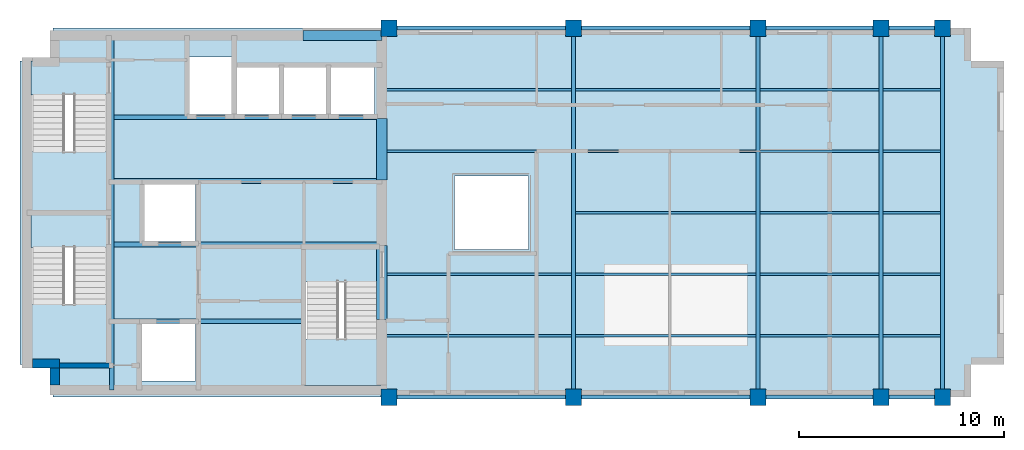
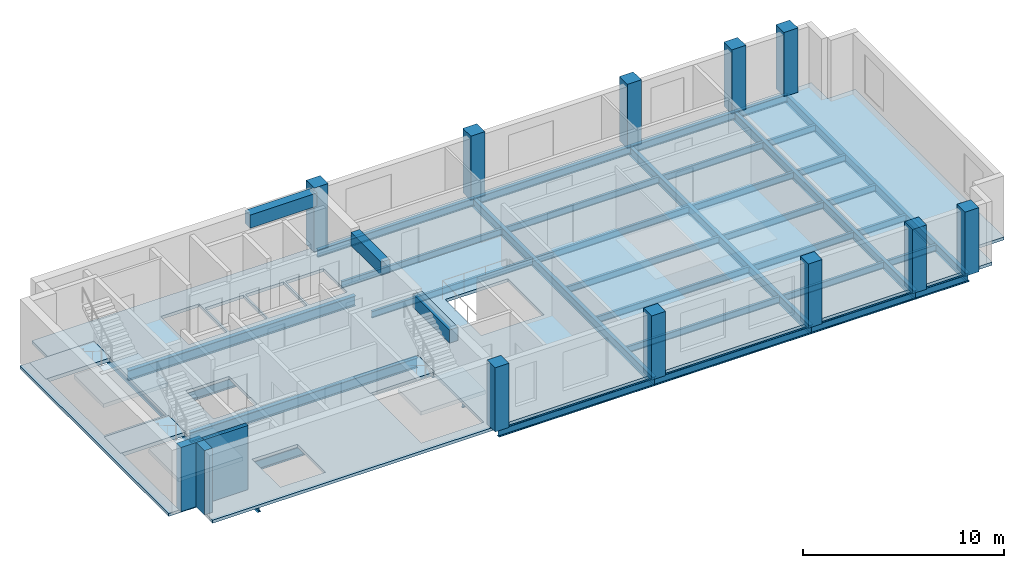
# One storey, part 1 of 5: 39 beams, 10 columns, 7 slabs, 3 walls, 3 elements without a shape of their own.
"""IFC4 building model written with IfcOpenShell, lengths in metres."""

from ifc_helpers import new_model, si_unit, direction, frame, frame_2d, origin, origin_2d, place, context, subcontext, project, spatial, polyline, rectangle, i_section, outline, extrude, material, layer, layer_set, material_profile, profile_set, type_object, element, aggregate, save


model = new_model("IFC4")

# Units and contexts
model_context = context("Model", 3, precision=1e-05, world=origin(), true_north=direction((0.0, 1.0)))
body_context = subcontext(model_context, "Body", "Model", "MODEL_VIEW")
ifc_project = project(units=[si_unit("LENGTHUNIT", "METRE"), si_unit("AREAUNIT", "SQUARE_METRE"), si_unit("VOLUMEUNIT", "CUBIC_METRE"), si_unit("PLANEANGLEUNIT", "RADIAN"), si_unit("MASSUNIT", "GRAM", prefix="KILO")], contexts=[model_context])

# Site, building, storey
site_placement = place(None, origin())
site = spatial("IfcSite", under=ifc_project, at=site_placement, CompositionType="ELEMENT")
building_placement = place(site_placement, origin())
building = spatial("IfcBuilding", under=site, at=building_placement, Name="Mawjdan Bourse Tower", CompositionType="ELEMENT")
storey_placement = place(building_placement, frame((0.0, 0.0, 274.199951171875)))
storey = spatial("IfcBuildingStorey", under=building, at=storey_placement, Name="L67", CompositionType="ELEMENT", Elevation=274.199951171875)

# Columns
ifc_material_1 = material(Name="Concrete C60/75", Category="concrete")
ifc_material_profile_1 = material_profile(ifc_material_1, rectangle(XDim=0.800048828125, YDim=0.800048828125, at=origin_2d()), Name="RC800X800")
ifc_profile_set_1 = profile_set([ifc_material_profile_1], Name="Concrete C60/75")
column_type = type_object("IfcColumnType", Name="COL-RC800X800", PredefinedType="COLUMN", material=ifc_profile_set_1)
for number, where, z_axis, x_axis, name in (
    (1, (24.0, 3.0, 0.0), (0.0, 0.0, 1.0), (1.0, 0.0, 0.0), "L67 Structural Column C-X240-Y30"),
    (2, (24.0, 21.0, 0.0), (0.0, 0.0, 1.0), (1.0, 0.0, 0.0), "L67 Structural Column C-X240-Y210"),
    (3, (33.0, 3.0, 0.0), (0.0, 0.0, 1.0), (1.0, 0.0, 0.0), "L67 Structural Column C-X330-Y30"),
    (4, (33.0, 21.0, 0.0), (0.0, 0.0, 1.0), (1.0, 0.0, 0.0), "L67 Structural Column C-X330-Y210"),
    (5, (42.0, 3.0, 0.0), (0.0, 0.0, 1.0), (1.0, 0.0, 0.0), "L67 Structural Column C-X420-Y30"),
    (6, (42.0, 21.0, 0.0), (0.0, 0.0, 1.0), (1.0, 0.0, 0.0), "L67 Structural Column C-X420-Y210"),
    (7, (48.0, 3.0, 0.0), (0.0, 0.0, 1.0), (1.0, 0.0, 0.0), "L67 Structural Column C-X480-Y30"),
    (8, (48.0, 21.0, 0.0), (0.0, 0.0, 1.0), (1.0, 0.0, 0.0), "L67 Structural Column C-X480-Y210"),
    (9, (51.0, 3.0, 0.0), (0.0, 0.0, 1.0), (1.0, 0.0, 0.0), "L67 Structural Column C-X510-Y30"),
    (10, (51.0, 21.0, 0.0), (0.0, 0.0, 1.0), (1.0, 0.0, 0.0), "L67 Structural Column C-X510-Y210"),
):
    element("IfcColumn", number, at=place(storey_placement, frame(where, z_axis=z_axis, x_axis=x_axis)), inside=storey, type_object=column_type, Name=name, PredefinedType="COLUMN", context=body_context, shape_type="SweptSolid", body=[
        extrude(rectangle(XDim=0.800048828125, YDim=0.800048828125, at=origin_2d()), origin(), (0.0, 0.0, 1.0), 3.900146484375),
    ])

# Beams
ifc_material_2 = material(Name="Structural Steel S355", Category="steel")
ifc_material_profile_2 = material_profile(ifc_material_2, i_section(OverallWidth=0.2119140625, OverallDepth=0.5439453125, WebThickness=0.01318359375, FlangeThickness=0.021240234375, FilletRadius=0.01708984375, at=origin_2d()), Name="W21X83")
ifc_profile_set_2 = profile_set([ifc_material_profile_2], Name="Structural Steel S355")
beam_type_1 = type_object("IfcBeamType", Name="GRD-W21X83", PredefinedType="BEAM", material=ifc_profile_set_2)
beam_1_placement = place(storey_placement, frame((10.47998046875, 3.35009765625, -0.45703125), z_axis=(0.0, 1.0, 0.0), x_axis=(-1.0, 0.0, 0.0)))
element("IfcBeam", 11, at=beam_1_placement, inside=storey, type_object=beam_type_1, Name="L67 Core Stair Trimmer Girder 001", PredefinedType="BEAM", context=body_context, shape_type="SweptSolid", body=[
    extrude(i_section(OverallWidth=0.2119140625, OverallDepth=0.5439453125, WebThickness=0.01318359375, FlangeThickness=0.021240234375, FilletRadius=0.01708984375, at=origin_2d()), origin(), (0.0, 0.0, 1.0), 17.2998046875),
])
for number, where, z_axis, x_axis, name in (
    (12, (33.0, 3.0, -0.45703125), (0.0, 1.0, 0.0), (-1.0, 0.0, 0.0), "L67 East Wing Clear-Span Girder 002"),
    (13, (42.0, 3.0, -0.45703125), (0.0, 1.0, 0.0), (-1.0, 0.0, 0.0), "L67 East Wing Clear-Span Girder 003"),
    (14, (48.0, 3.0, -0.45703125), (0.0, 1.0, 0.0), (-1.0, 0.0, 0.0), "L67 East Wing Clear-Span Girder 004"),
    (15, (51.0, 3.0, -0.45703125), (0.0, 1.0, 0.0), (-1.0, 0.0, 0.0), "L67 East Wing Clear-Span Girder 005"),
):
    element("IfcBeam", number, at=place(storey_placement, frame(where, z_axis=z_axis, x_axis=x_axis)), inside=storey, type_object=beam_type_1, Name=name, PredefinedType="BEAM", context=body_context, shape_type="SweptSolid", body=[
        extrude(i_section(OverallWidth=0.2119140625, OverallDepth=0.5439453125, WebThickness=0.01318359375, FlangeThickness=0.021240234375, FilletRadius=0.01708984375, at=origin_2d()), origin(), (0.0, 0.0, 1.0), 18.0),
    ])
ifc_material_profile_3 = material_profile(ifc_material_2, i_section(OverallWidth=0.139892578125, OverallDepth=0.404052734375, WebThickness=0.007080078125, FlangeThickness=0.01123046875, FilletRadius=0.009033203125, at=origin_2d()), Name="W16X31")
ifc_profile_set_3 = profile_set([ifc_material_profile_3], Name="Structural Steel S355")
beam_type_2 = type_object("IfcBeamType", Name="JST-W16X31", PredefinedType="JOIST", material=ifc_profile_set_3)
beam_2_placement = place(storey_placement, frame((23.64990234375, 6.0, -0.386962890625), z_axis=(1.0, 0.0, 0.0), x_axis=(0.0, 1.0, 0.0)))
element("IfcBeam", 16, at=beam_2_placement, inside=storey, type_object=beam_type_2, Name="L67 East Wing Composite Joist 014", PredefinedType="JOIST", context=body_context, shape_type="SweptSolid", body=[
    extrude(i_section(OverallWidth=0.139892578125, OverallDepth=0.404052734375, WebThickness=0.007080078125, FlangeThickness=0.01123046875, FilletRadius=0.009033203125, at=origin_2d()), origin(), (0.0, 0.0, 1.0), 9.24609375),
])
beam_3_placement = place(storey_placement, frame((33.10400390625, 6.0, -0.386962890625), z_axis=(1.0, 0.0, 0.0), x_axis=(0.0, 1.0, 0.0)))
element("IfcBeam", 17, at=beam_3_placement, inside=storey, type_object=beam_type_2, Name="L67 East Wing Composite Joist 015", PredefinedType="JOIST", context=body_context, shape_type="SweptSolid", body=[
    extrude(i_section(OverallWidth=0.139892578125, OverallDepth=0.404052734375, WebThickness=0.007080078125, FlangeThickness=0.01123046875, FilletRadius=0.009033203125, at=origin_2d()), origin(), (0.0, 0.0, 1.0), 8.7919921875),
])
beam_4_placement = place(storey_placement, frame((42.10400390625, 6.0, -0.386962890625), z_axis=(1.0, 0.0, 0.0), x_axis=(0.0, 1.0, 0.0)))
element("IfcBeam", 18, at=beam_4_placement, inside=storey, type_object=beam_type_2, Name="L67 East Wing Composite Joist 016", PredefinedType="JOIST", context=body_context, shape_type="SweptSolid", body=[
    extrude(i_section(OverallWidth=0.139892578125, OverallDepth=0.404052734375, WebThickness=0.007080078125, FlangeThickness=0.01123046875, FilletRadius=0.009033203125, at=origin_2d()), origin(), (0.0, 0.0, 1.0), 5.7919921875),
])
beam_5_placement = place(storey_placement, frame((48.10400390625, 6.0, -0.386962890625), z_axis=(1.0, 0.0, 0.0), x_axis=(0.0, 1.0, 0.0)))
element("IfcBeam", 19, at=beam_5_placement, inside=storey, type_object=beam_type_2, Name="L67 East Wing Composite Joist 017", PredefinedType="JOIST", context=body_context, shape_type="SweptSolid", body=[
    extrude(i_section(OverallWidth=0.139892578125, OverallDepth=0.404052734375, WebThickness=0.007080078125, FlangeThickness=0.01123046875, FilletRadius=0.009033203125, at=origin_2d()), origin(), (0.0, 0.0, 1.0), 2.7919921875),
])
beam_6_placement = place(storey_placement, frame((23.64990234375, 9.0, -0.386962890625), z_axis=(1.0, 0.0, 0.0), x_axis=(0.0, 1.0, 0.0)))
element("IfcBeam", 20, at=beam_6_placement, inside=storey, type_object=beam_type_2, Name="L67 East Wing Composite Joist 018", PredefinedType="JOIST", context=body_context, shape_type="SweptSolid", body=[
    extrude(i_section(OverallWidth=0.139892578125, OverallDepth=0.404052734375, WebThickness=0.007080078125, FlangeThickness=0.01123046875, FilletRadius=0.009033203125, at=origin_2d()), origin(), (0.0, 0.0, 1.0), 9.24609375),
])
beam_7_placement = place(storey_placement, frame((33.10400390625, 9.0, -0.386962890625), z_axis=(1.0, 0.0, 0.0), x_axis=(0.0, 1.0, 0.0)))
element("IfcBeam", 21, at=beam_7_placement, inside=storey, type_object=beam_type_2, Name="L67 East Wing Composite Joist 019", PredefinedType="JOIST", context=body_context, shape_type="SweptSolid", body=[
    extrude(i_section(OverallWidth=0.139892578125, OverallDepth=0.404052734375, WebThickness=0.007080078125, FlangeThickness=0.01123046875, FilletRadius=0.009033203125, at=origin_2d()), origin(), (0.0, 0.0, 1.0), 8.7919921875),
])
beam_8_placement = place(storey_placement, frame((42.10400390625, 9.0, -0.386962890625), z_axis=(1.0, 0.0, 0.0), x_axis=(0.0, 1.0, 0.0)))
element("IfcBeam", 22, at=beam_8_placement, inside=storey, type_object=beam_type_2, Name="L67 East Wing Composite Joist 020", PredefinedType="JOIST", context=body_context, shape_type="SweptSolid", body=[
    extrude(i_section(OverallWidth=0.139892578125, OverallDepth=0.404052734375, WebThickness=0.007080078125, FlangeThickness=0.01123046875, FilletRadius=0.009033203125, at=origin_2d()), origin(), (0.0, 0.0, 1.0), 5.7919921875),
])
beam_9_placement = place(storey_placement, frame((48.10400390625, 9.0, -0.386962890625), z_axis=(1.0, 0.0, 0.0), x_axis=(0.0, 1.0, 0.0)))
element("IfcBeam", 23, at=beam_9_placement, inside=storey, type_object=beam_type_2, Name="L67 East Wing Composite Joist 021", PredefinedType="JOIST", context=body_context, shape_type="SweptSolid", body=[
    extrude(i_section(OverallWidth=0.139892578125, OverallDepth=0.404052734375, WebThickness=0.007080078125, FlangeThickness=0.01123046875, FilletRadius=0.009033203125, at=origin_2d()), origin(), (0.0, 0.0, 1.0), 2.7919921875),
])
beam_10_placement = place(storey_placement, frame((33.10400390625, 12.0, -0.386962890625), z_axis=(1.0, 0.0, 0.0), x_axis=(0.0, 1.0, 0.0)))
element("IfcBeam", 24, at=beam_10_placement, inside=storey, type_object=beam_type_2, Name="L67 East Wing Composite Joist 022", PredefinedType="JOIST", context=body_context, shape_type="SweptSolid", body=[
    extrude(i_section(OverallWidth=0.139892578125, OverallDepth=0.404052734375, WebThickness=0.007080078125, FlangeThickness=0.01123046875, FilletRadius=0.009033203125, at=origin_2d()), origin(), (0.0, 0.0, 1.0), 8.7919921875),
])
beam_11_placement = place(storey_placement, frame((42.10400390625, 12.0, -0.386962890625), z_axis=(1.0, 0.0, 0.0), x_axis=(0.0, 1.0, 0.0)))
element("IfcBeam", 25, at=beam_11_placement, inside=storey, type_object=beam_type_2, Name="L67 East Wing Composite Joist 023", PredefinedType="JOIST", context=body_context, shape_type="SweptSolid", body=[
    extrude(i_section(OverallWidth=0.139892578125, OverallDepth=0.404052734375, WebThickness=0.007080078125, FlangeThickness=0.01123046875, FilletRadius=0.009033203125, at=origin_2d()), origin(), (0.0, 0.0, 1.0), 5.7919921875),
])
beam_12_placement = place(storey_placement, frame((48.10400390625, 12.0, -0.386962890625), z_axis=(1.0, 0.0, 0.0), x_axis=(0.0, 1.0, 0.0)))
element("IfcBeam", 26, at=beam_12_placement, inside=storey, type_object=beam_type_2, Name="L67 East Wing Composite Joist 024", PredefinedType="JOIST", context=body_context, shape_type="SweptSolid", body=[
    extrude(i_section(OverallWidth=0.139892578125, OverallDepth=0.404052734375, WebThickness=0.007080078125, FlangeThickness=0.01123046875, FilletRadius=0.009033203125, at=origin_2d()), origin(), (0.0, 0.0, 1.0), 2.7919921875),
])
beam_13_placement = place(storey_placement, frame((23.64990234375, 15.0, -0.386962890625), z_axis=(1.0, 0.0, 0.0), x_axis=(0.0, 1.0, 0.0)))
element("IfcBeam", 27, at=beam_13_placement, inside=storey, type_object=beam_type_2, Name="L67 East Wing Composite Joist 025", PredefinedType="JOIST", context=body_context, shape_type="SweptSolid", body=[
    extrude(i_section(OverallWidth=0.139892578125, OverallDepth=0.404052734375, WebThickness=0.007080078125, FlangeThickness=0.01123046875, FilletRadius=0.009033203125, at=origin_2d()), origin(), (0.0, 0.0, 1.0), 9.24609375),
])
beam_14_placement = place(storey_placement, frame((33.10400390625, 15.0, -0.386962890625), z_axis=(1.0, 0.0, 0.0), x_axis=(0.0, 1.0, 0.0)))
element("IfcBeam", 28, at=beam_14_placement, inside=storey, type_object=beam_type_2, Name="L67 East Wing Composite Joist 026", PredefinedType="JOIST", context=body_context, shape_type="SweptSolid", body=[
    extrude(i_section(OverallWidth=0.139892578125, OverallDepth=0.404052734375, WebThickness=0.007080078125, FlangeThickness=0.01123046875, FilletRadius=0.009033203125, at=origin_2d()), origin(), (0.0, 0.0, 1.0), 8.7919921875),
])
beam_15_placement = place(storey_placement, frame((42.10400390625, 15.0, -0.386962890625), z_axis=(1.0, 0.0, 0.0), x_axis=(0.0, 1.0, 0.0)))
element("IfcBeam", 29, at=beam_15_placement, inside=storey, type_object=beam_type_2, Name="L67 East Wing Composite Joist 027", PredefinedType="JOIST", context=body_context, shape_type="SweptSolid", body=[
    extrude(i_section(OverallWidth=0.139892578125, OverallDepth=0.404052734375, WebThickness=0.007080078125, FlangeThickness=0.01123046875, FilletRadius=0.009033203125, at=origin_2d()), origin(), (0.0, 0.0, 1.0), 5.7919921875),
])
beam_16_placement = place(storey_placement, frame((48.10400390625, 15.0, -0.386962890625), z_axis=(1.0, 0.0, 0.0), x_axis=(0.0, 1.0, 0.0)))
element("IfcBeam", 30, at=beam_16_placement, inside=storey, type_object=beam_type_2, Name="L67 East Wing Composite Joist 028", PredefinedType="JOIST", context=body_context, shape_type="SweptSolid", body=[
    extrude(i_section(OverallWidth=0.139892578125, OverallDepth=0.404052734375, WebThickness=0.007080078125, FlangeThickness=0.01123046875, FilletRadius=0.009033203125, at=origin_2d()), origin(), (0.0, 0.0, 1.0), 2.7919921875),
])
beam_17_placement = place(storey_placement, frame((23.64990234375, 18.0, -0.386962890625), z_axis=(1.0, 0.0, 0.0), x_axis=(0.0, 1.0, 0.0)))
element("IfcBeam", 31, at=beam_17_placement, inside=storey, type_object=beam_type_2, Name="L67 East Wing Composite Joist 029", PredefinedType="JOIST", context=body_context, shape_type="SweptSolid", body=[
    extrude(i_section(OverallWidth=0.139892578125, OverallDepth=0.404052734375, WebThickness=0.007080078125, FlangeThickness=0.01123046875, FilletRadius=0.009033203125, at=origin_2d()), origin(), (0.0, 0.0, 1.0), 9.24609375),
])
beam_18_placement = place(storey_placement, frame((33.10400390625, 18.0, -0.386962890625), z_axis=(1.0, 0.0, 0.0), x_axis=(0.0, 1.0, 0.0)))
element("IfcBeam", 32, at=beam_18_placement, inside=storey, type_object=beam_type_2, Name="L67 East Wing Composite Joist 030", PredefinedType="JOIST", context=body_context, shape_type="SweptSolid", body=[
    extrude(i_section(OverallWidth=0.139892578125, OverallDepth=0.404052734375, WebThickness=0.007080078125, FlangeThickness=0.01123046875, FilletRadius=0.009033203125, at=origin_2d()), origin(), (0.0, 0.0, 1.0), 8.7919921875),
])
beam_19_placement = place(storey_placement, frame((42.10400390625, 18.0, -0.386962890625), z_axis=(1.0, 0.0, 0.0), x_axis=(0.0, 1.0, 0.0)))
element("IfcBeam", 33, at=beam_19_placement, inside=storey, type_object=beam_type_2, Name="L67 East Wing Composite Joist 031", PredefinedType="JOIST", context=body_context, shape_type="SweptSolid", body=[
    extrude(i_section(OverallWidth=0.139892578125, OverallDepth=0.404052734375, WebThickness=0.007080078125, FlangeThickness=0.01123046875, FilletRadius=0.009033203125, at=origin_2d()), origin(), (0.0, 0.0, 1.0), 5.7919921875),
])
beam_20_placement = place(storey_placement, frame((48.10400390625, 18.0, -0.386962890625), z_axis=(1.0, 0.0, 0.0), x_axis=(0.0, 1.0, 0.0)))
element("IfcBeam", 34, at=beam_20_placement, inside=storey, type_object=beam_type_2, Name="L67 East Wing Composite Joist 032", PredefinedType="JOIST", context=body_context, shape_type="SweptSolid", body=[
    extrude(i_section(OverallWidth=0.139892578125, OverallDepth=0.404052734375, WebThickness=0.007080078125, FlangeThickness=0.01123046875, FilletRadius=0.009033203125, at=origin_2d()), origin(), (0.0, 0.0, 1.0), 2.7919921875),
])
ifc_material_profile_4 = material_profile(ifc_material_2, i_section(OverallWidth=0.22998046875, OverallDepth=0.616943359375, WebThickness=0.01318359375, FlangeThickness=0.022216796875, FilletRadius=0.017822265625, at=origin_2d()), Name="W24X94")
ifc_profile_set_4 = profile_set([ifc_material_profile_4], Name="Structural Steel S355")
beam_type_3 = type_object("IfcBeamType", Name="JST-W24X94", PredefinedType="JOIST", material=ifc_profile_set_4)
beam_21_placement = place(storey_placement, frame((10.583984375, 6.699951171875, -0.493408203125), z_axis=(1.0, 0.0, 0.0), x_axis=(0.0, 1.0, 0.0)))
element("IfcBeam", 35, at=beam_21_placement, inside=storey, type_object=beam_type_3, Name="L67 Core Floor Joist 033", PredefinedType="JOIST", context=body_context, shape_type="SweptSolid", body=[
    extrude(i_section(OverallWidth=0.22998046875, OverallDepth=0.616943359375, WebThickness=0.01318359375, FlangeThickness=0.022216796875, FilletRadius=0.017822265625, at=origin_2d()), origin(), (0.0, 0.0, 1.0), 9.24609375),
])
for number, where, z_axis, x_axis, name in (
    (36, (10.583984375, 10.449951171875, -0.493408203125), (1.0, 0.0, 0.0), (0.0, 1.0, 0.0), "L67 Core Floor Joist 034"),
    (37, (10.583984375, 13.550048828125, -0.493408203125), (1.0, 0.0, 0.0), (0.0, 1.0, 0.0), "L67 Core Floor Joist 035"),
    (38, (10.583984375, 16.64990234375, -0.493408203125), (1.0, 0.0, 0.0), (0.0, 1.0, 0.0), "L67 Core Floor Joist 036"),
):
    element("IfcBeam", number, at=place(storey_placement, frame(where, z_axis=z_axis, x_axis=x_axis)), inside=storey, type_object=beam_type_3, Name=name, PredefinedType="JOIST", context=body_context, shape_type="SweptSolid", body=[
        extrude(i_section(OverallWidth=0.22998046875, OverallDepth=0.616943359375, WebThickness=0.01318359375, FlangeThickness=0.022216796875, FilletRadius=0.017822265625, at=origin_2d()), origin(), (0.0, 0.0, 1.0), 13.06591796875),
    ])
ifc_material_3 = material(Name="Concrete C70/85", Category="concrete")
ifc_material_profile_5 = material_profile(ifc_material_3, rectangle(XDim=0.5, YDim=0.800048828125, at=origin_2d()), Name="RCB500X800")
ifc_profile_set_5 = profile_set([ifc_material_profile_5], Name="Concrete C70/85")
beam_type_4 = type_object("IfcBeamType", Name="LNT-RCB500X800", PredefinedType="LINTEL", material=ifc_profile_set_5)
beam_22_placement = place(storey_placement, frame((23.64990234375, 6.800048828125, 3.31494140625), z_axis=(0.0, 1.0, 0.0), x_axis=(-1.0, 0.0, 0.0)))
element("IfcBeam", 39, at=beam_22_placement, inside=storey, type_object=beam_type_4, Name="L67 Coupled Core Lintel CB-E1", PredefinedType="LINTEL", context=body_context, shape_type="SweptSolid", body=[
    extrude(rectangle(XDim=0.5, YDim=0.800048828125, at=origin_2d()), origin(), (0.0, 0.0, 1.0), 3.599853515625),
])
beam_23_placement = place(storey_placement, frame((23.64990234375, 13.60009765625, 3.31494140625), z_axis=(0.0, 1.0, 0.0), x_axis=(-1.0, 0.0, 0.0)))
element("IfcBeam", 40, at=beam_23_placement, inside=storey, type_object=beam_type_4, Name="L67 Coupled Core Lintel CB-E2", PredefinedType="LINTEL", context=body_context, shape_type="SweptSolid", body=[
    extrude(rectangle(XDim=0.5, YDim=0.800048828125, at=origin_2d()), origin(), (0.0, 0.0, 1.0), 3.0),
])
beam_24_placement = place(storey_placement, frame((19.800048828125, 20.64990234375, 3.31494140625), z_axis=(1.0, 0.0, 0.0), x_axis=(0.0, 1.0, 0.0)))
element("IfcBeam", 41, at=beam_24_placement, inside=storey, type_object=beam_type_4, Name="L67 Coupled Core Lintel CB-N1", PredefinedType="LINTEL", context=body_context, shape_type="SweptSolid", body=[
    extrude(rectangle(XDim=0.5, YDim=0.800048828125, at=origin_2d()), origin(), (0.0, 0.0, 1.0), 3.849853515625),
])
ifc_material_profile_6 = material_profile(ifc_material_2, i_section(OverallWidth=0.19189453125, OverallDepth=0.462890625, WebThickness=0.010498046875, FlangeThickness=0.017578125, FilletRadius=0.01416015625, at=origin_2d()), Name="W18X60")
ifc_profile_set_6 = profile_set([ifc_material_profile_6], Name="Structural Steel S355")
beam_type_5 = type_object("IfcBeamType", Name="SPN-W18X60", PredefinedType="SPANDREL", material=ifc_profile_set_6)
for number, where, z_axis, x_axis, name in (
    (42, (24.0, 3.0, -0.41650390625), (1.0, 0.0, 0.0), (0.0, 1.0, 0.0), "L67 Perimeter Masonry-Shelf Spandrel 006"),
    (43, (33.0, 3.0, -0.41650390625), (1.0, 0.0, 0.0), (0.0, 1.0, 0.0), "L67 Perimeter Masonry-Shelf Spandrel 007"),
):
    element("IfcBeam", number, at=place(storey_placement, frame(where, z_axis=z_axis, x_axis=x_axis)), inside=storey, type_object=beam_type_5, Name=name, PredefinedType="SPANDREL", context=body_context, shape_type="SweptSolid", body=[
        extrude(i_section(OverallWidth=0.19189453125, OverallDepth=0.462890625, WebThickness=0.010498046875, FlangeThickness=0.017578125, FilletRadius=0.01416015625, at=origin_2d()), origin(), (0.0, 0.0, 1.0), 9.0),
    ])
beam_25_placement = place(storey_placement, frame((42.0, 3.0, -0.41650390625), z_axis=(1.0, 0.0, 0.0), x_axis=(0.0, 1.0, 0.0)))
element("IfcBeam", 44, at=beam_25_placement, inside=storey, type_object=beam_type_5, Name="L67 Perimeter Masonry-Shelf Spandrel 008", PredefinedType="SPANDREL", context=body_context, shape_type="SweptSolid", body=[
    extrude(i_section(OverallWidth=0.19189453125, OverallDepth=0.462890625, WebThickness=0.010498046875, FlangeThickness=0.017578125, FilletRadius=0.01416015625, at=origin_2d()), origin(), (0.0, 0.0, 1.0), 6.0),
])
beam_26_placement = place(storey_placement, frame((48.0, 3.0, -0.41650390625), z_axis=(1.0, 0.0, 0.0), x_axis=(0.0, 1.0, 0.0)))
element("IfcBeam", 45, at=beam_26_placement, inside=storey, type_object=beam_type_5, Name="L67 Perimeter Masonry-Shelf Spandrel 009", PredefinedType="SPANDREL", context=body_context, shape_type="SweptSolid", body=[
    extrude(i_section(OverallWidth=0.19189453125, OverallDepth=0.462890625, WebThickness=0.010498046875, FlangeThickness=0.017578125, FilletRadius=0.01416015625, at=origin_2d()), origin(), (0.0, 0.0, 1.0), 3.0),
])
for number, where, z_axis, x_axis, name in (
    (46, (24.0, 21.0, -0.41650390625), (1.0, 0.0, 0.0), (0.0, 1.0, 0.0), "L67 Perimeter Masonry-Shelf Spandrel 010"),
    (47, (33.0, 21.0, -0.41650390625), (1.0, 0.0, 0.0), (0.0, 1.0, 0.0), "L67 Perimeter Masonry-Shelf Spandrel 011"),
):
    element("IfcBeam", number, at=place(storey_placement, frame(where, z_axis=z_axis, x_axis=x_axis)), inside=storey, type_object=beam_type_5, Name=name, PredefinedType="SPANDREL", context=body_context, shape_type="SweptSolid", body=[
        extrude(i_section(OverallWidth=0.19189453125, OverallDepth=0.462890625, WebThickness=0.010498046875, FlangeThickness=0.017578125, FilletRadius=0.01416015625, at=origin_2d()), origin(), (0.0, 0.0, 1.0), 9.0),
    ])
beam_27_placement = place(storey_placement, frame((42.0, 21.0, -0.41650390625), z_axis=(1.0, 0.0, 0.0), x_axis=(0.0, 1.0, 0.0)))
element("IfcBeam", 48, at=beam_27_placement, inside=storey, type_object=beam_type_5, Name="L67 Perimeter Masonry-Shelf Spandrel 012", PredefinedType="SPANDREL", context=body_context, shape_type="SweptSolid", body=[
    extrude(i_section(OverallWidth=0.19189453125, OverallDepth=0.462890625, WebThickness=0.010498046875, FlangeThickness=0.017578125, FilletRadius=0.01416015625, at=origin_2d()), origin(), (0.0, 0.0, 1.0), 6.0),
])
beam_28_placement = place(storey_placement, frame((48.0, 21.0, -0.41650390625), z_axis=(1.0, 0.0, 0.0), x_axis=(0.0, 1.0, 0.0)))
element("IfcBeam", 49, at=beam_28_placement, inside=storey, type_object=beam_type_5, Name="L67 Perimeter Masonry-Shelf Spandrel 013", PredefinedType="SPANDREL", context=body_context, shape_type="SweptSolid", body=[
    extrude(i_section(OverallWidth=0.19189453125, OverallDepth=0.462890625, WebThickness=0.010498046875, FlangeThickness=0.017578125, FilletRadius=0.01416015625, at=origin_2d()), origin(), (0.0, 0.0, 1.0), 3.0),
])

# Stair, slabs
ifc_material_4 = material(Name="Concrete C50/60", Category="concrete")
stair_type = type_object("IfcStairType", Name="STR-CORE-1500", PredefinedType="HALF_TURN_STAIR", material=ifc_material_4)
stair_1_placement = place(storey_placement, origin())
stair_1 = element("IfcStair", 50, at=stair_1_placement, inside=storey, type_object=stair_type, Name="L67 Exit Stair 1 (Core South-West)", PredefinedType="HALF_TURN_STAIR")
ifc_layer_1 = layer(ifc_material_4, 0.22998046875)
ifc_layer_set_1 = layer_set([ifc_layer_1], Name="Concrete C50/60")
slab_type_1 = type_object("IfcSlabType", Name="SL-LND-230", PredefinedType="LANDING", material=ifc_layer_set_1)
slab_1_placement = place(storey_placement, frame((0.0, 0.0, -0.22998046875)))
slab_1 = element("IfcSlab", 51, at=slab_1_placement, type_object=slab_type_1, Name="ST1-L67 landing 1", PredefinedType="LANDING", context=body_context, shape_type="SweptSolid", body=[
    extrude(outline(polyline([(6.5400390625, 10.31005859375), (10.260009765625, 10.31005859375), (10.260009765625, 11.969970703125), (6.5400390625, 11.969970703125), (6.5400390625, 10.31005859375)])), origin(), (0.0, 0.0, 1.0), 0.22998046875),
])
slab_2_placement = place(storey_placement, frame((0.0, 0.0, 1.719970703125)))
slab_2 = element("IfcSlab", 52, at=slab_2_placement, type_object=slab_type_1, Name="ST1-L67 landing 2", PredefinedType="LANDING", context=body_context, shape_type="SweptSolid", body=[
    extrude(outline(polyline([(6.5400390625, 4.590087890625), (10.260009765625, 4.590087890625), (10.260009765625, 7.5400390625), (6.5400390625, 7.5400390625), (6.5400390625, 4.590087890625)])), origin(), (0.0, 0.0, 1.0), 0.22998046875),
])
aggregate(stair_1, [slab_1, slab_2])

stair_2_placement = place(storey_placement, origin())
stair_2 = element("IfcStair", 53, at=stair_2_placement, inside=storey, type_object=stair_type, Name="L67 Exit Stair 2 (Core North-West)", PredefinedType="HALF_TURN_STAIR")
slab_3_placement = place(storey_placement, frame((0.0, 0.0, -0.22998046875)))
slab_3 = element("IfcSlab", 54, at=slab_3_placement, type_object=slab_type_1, Name="ST2-L67 landing 1", PredefinedType="LANDING", context=body_context, shape_type="SweptSolid", body=[
    extrude(outline(polyline([(6.5400390625, 17.75), (10.260009765625, 17.75), (10.260009765625, 19.409912109375), (6.5400390625, 19.409912109375), (6.5400390625, 17.75)])), origin(), (0.0, 0.0, 1.0), 0.22998046875),
])
slab_4_placement = place(storey_placement, frame((0.0, 0.0, 1.719970703125)))
slab_4 = element("IfcSlab", 55, at=slab_4_placement, type_object=slab_type_1, Name="ST2-L67 landing 2", PredefinedType="LANDING", context=body_context, shape_type="SweptSolid", body=[
    extrude(outline(polyline([(6.5400390625, 12.030029296875), (10.260009765625, 12.030029296875), (10.260009765625, 14.97998046875), (6.5400390625, 14.97998046875), (6.5400390625, 12.030029296875)])), origin(), (0.0, 0.0, 1.0), 0.22998046875),
])
aggregate(stair_2, [slab_3, slab_4])

stair_3_placement = place(storey_placement, origin())
stair_3 = element("IfcStair", 56, at=stair_3_placement, inside=storey, type_object=stair_type, Name="L67 Exit Stair 7 (Core South-East)", PredefinedType="HALF_TURN_STAIR")
slab_5_placement = place(storey_placement, frame((0.0, 0.0, -0.22998046875)))
slab_5 = element("IfcSlab", 57, at=slab_5_placement, type_object=slab_type_1, Name="ST7-L67 landing 1", PredefinedType="LANDING", context=body_context, shape_type="SweptSolid", body=[
    extrude(outline(polyline([(19.889892578125, 8.6201171875), (23.610107421875, 8.6201171875), (23.610107421875, 10.280029296875), (19.889892578125, 10.280029296875), (19.889892578125, 8.6201171875)])), origin(), (0.0, 0.0, 1.0), 0.22998046875),
])
slab_6_placement = place(storey_placement, frame((0.0, 0.0, 1.719970703125)))
slab_6 = element("IfcSlab", 58, at=slab_6_placement, type_object=slab_type_1, Name="ST7-L67 landing 2", PredefinedType="LANDING", context=body_context, shape_type="SweptSolid", body=[
    extrude(outline(polyline([(19.889892578125, 3.56005859375), (23.610107421875, 3.56005859375), (23.610107421875, 5.85009765625), (19.889892578125, 5.85009765625), (19.889892578125, 3.56005859375)])), origin(), (0.0, 0.0, 1.0), 0.22998046875),
])
aggregate(stair_3, [slab_5, slab_6])

# Slab
ifc_layer_2 = layer(ifc_material_4, 0.18505859375)
ifc_layer_set_2 = layer_set([ifc_layer_2], Name="Concrete C50/60")
slab_type_2 = type_object("IfcSlabType", Name="SL-SMT-185", PredefinedType="FLOOR", material=ifc_layer_set_2)
slab_7_placement = place(storey_placement, frame((0.0, 0.0, -0.18505859375)))
element("IfcSlab", 59, at=slab_7_placement, inside=storey, type_object=slab_type_2, Name="L67 Structural Floor Slab 1", PredefinedType="FLOOR", context=body_context, shape_type="SweptSolid", body=[
    extrude(outline(polyline([(7.60009765625, 3.0), (52.39990234375, 3.0), (52.39990234375, 4.60009765625), (54.0, 4.60009765625), (54.0, 19.39990234375), (52.39990234375, 19.39990234375), (52.39990234375, 21.0), (7.60009765625, 21.0), (7.60009765625, 19.39990234375), (6.0, 19.39990234375), (6.0, 4.60009765625), (7.60009765625, 4.60009765625), (7.60009765625, 3.0)]), holes=[polyline([(14.550048828125, 3.800048828125), (11.949951171875, 3.800048828125), (11.949951171875, 6.60009765625), (14.550048828125, 6.60009765625), (14.550048828125, 3.800048828125)]), polyline([(10.260009765625, 11.969970703125), (10.260009765625, 10.31005859375), (10.199951171875, 10.31005859375), (10.199951171875, 4.64990234375), (6.60009765625, 4.64990234375), (6.60009765625, 10.31005859375), (6.5400390625, 10.31005859375), (6.5400390625, 11.969970703125), (10.260009765625, 11.969970703125)]), polyline([(14.550048828125, 10.60009765625), (12.050048828125, 10.60009765625), (12.050048828125, 13.39990234375), (14.550048828125, 13.39990234375), (14.550048828125, 10.60009765625)]), polyline([(6.60009765625, 12.090087890625), (6.60009765625, 17.75), (6.5400390625, 17.75), (6.5400390625, 19.3798828125), (7.60009765625, 19.3798828125), (7.60205078125, 19.380126953125), (7.60400390625, 19.38037109375), (7.605712890625, 19.380859375), (7.607666015625, 19.381591796875), (7.609375, 19.38232421875), (7.611083984375, 19.38330078125), (7.61279296875, 19.384521484375), (7.614013671875, 19.385986328125), (7.615478515625, 19.38720703125), (7.61669921875, 19.388916015625), (7.61767578125, 19.390625), (7.618408203125, 19.392333984375), (7.619140625, 19.394287109375), (7.61962890625, 19.39599609375), (7.619873046875, 19.39794921875), (7.6201171875, 19.39990234375), (7.6201171875, 19.409912109375), (10.260009765625, 19.409912109375), (10.260009765625, 17.75), (10.199951171875, 17.75), (10.199951171875, 12.090087890625), (6.60009765625, 12.090087890625)]), polyline([(14.199951171875, 16.800048828125), (14.199951171875, 19.60009765625), (16.39990234375, 19.60009765625), (16.39990234375, 16.800048828125), (14.199951171875, 16.800048828125)]), polyline([(23.610107421875, 10.280029296875), (23.610107421875, 8.6201171875), (23.550048828125, 8.6201171875), (23.550048828125, 3.6201171875), (19.949951171875, 3.6201171875), (19.949951171875, 8.6201171875), (19.889892578125, 8.6201171875), (19.889892578125, 10.280029296875), (23.610107421875, 10.280029296875)]), polyline([(27.199951171875, 10.199951171875), (27.199951171875, 13.800048828125), (30.800048828125, 13.800048828125), (30.800048828125, 10.199951171875), (27.199951171875, 10.199951171875)]), polyline([(16.5, 16.800048828125), (16.5, 19.14990234375), (18.699951171875, 19.14990234375), (18.699951171875, 16.800048828125), (16.5, 16.800048828125)]), polyline([(18.800048828125, 16.800048828125), (18.800048828125, 19.14990234375), (21.0, 19.14990234375), (21.0, 16.800048828125), (18.800048828125, 16.800048828125)]), polyline([(21.10009765625, 16.800048828125), (21.10009765625, 19.14990234375), (23.300048828125, 19.14990234375), (23.300048828125, 16.800048828125), (21.10009765625, 16.800048828125)])]), origin(), (0.0, 0.0, 1.0), 0.18505859375),
])

# Walls
ifc_layer_3 = layer(ifc_material_1, 0.449951171875)
ifc_layer_set_3 = layer_set([ifc_layer_3], Name="Concrete C60/75")
wall_type_1 = type_object("IfcWallType", Name="WL-CORE-450", PredefinedType="SHEAR", material=ifc_layer_set_3)
wall_1_placement = place(storey_placement, frame((6.60009765625, 4.64990234375, 0.0), z_axis=(0.0, 0.0, 1.0), x_axis=(1.0, 0.0, 0.0)))
element("IfcWall", 60, at=wall_1_placement, inside=storey, type_object=wall_type_1, Name="L67 Rear Core Shear Wall SW-X", PredefinedType="SHEAR", context=body_context, shape_type="SweptSolid", body=[
    extrude(rectangle(XDim=1.324951171875, YDim=0.449951171875, at=frame_2d((0.66259765625, 0.0))), origin(), (0.0, 0.0, 1.0), 3.900146484375),
])
wall_2_placement = place(storey_placement, frame((7.699951171875, 3.60009765625, 0.0), z_axis=(0.0, 0.0, 1.0), x_axis=(0.0, 1.0, 0.0)))
element("IfcWall", 61, at=wall_2_placement, inside=storey, type_object=wall_type_1, Name="L67 Rear Core Shear Wall SW-Y", PredefinedType="SHEAR", context=body_context, shape_type="SweptSolid", body=[
    extrude(rectangle(XDim=0.824951171875, YDim=0.449951171875, at=frame_2d((0.41259765625, 0.0))), origin(), (0.0, 0.0, 1.0), 3.900146484375),
])
ifc_layer_4 = layer(ifc_material_4, 0.25)
ifc_layer_set_4 = layer_set([ifc_layer_4], Name="Concrete C50/60")
wall_type_2 = type_object("IfcWallType", Name="WL-STRW-250", PredefinedType="SHEAR", material=ifc_layer_set_4)
wall_3_placement = place(storey_placement, frame((7.699951171875, 4.550048828125, 0.0), z_axis=(0.0, 0.0, 1.0), x_axis=(1.0, 0.0, 0.0)))
element("IfcWall", 62, at=wall_3_placement, inside=storey, type_object=wall_type_2, Name="L67 Stairwell ST1 South Shaft Wall", PredefinedType="SHEAR", context=body_context, shape_type="SweptSolid", body=[
    extrude(rectangle(XDim=2.755126953125, YDim=0.25, at=frame_2d((1.37744140625, 0.0))), origin(), (0.0, 0.0, 1.0), 3.900146484375),
])

save(model, "model.ifc")
